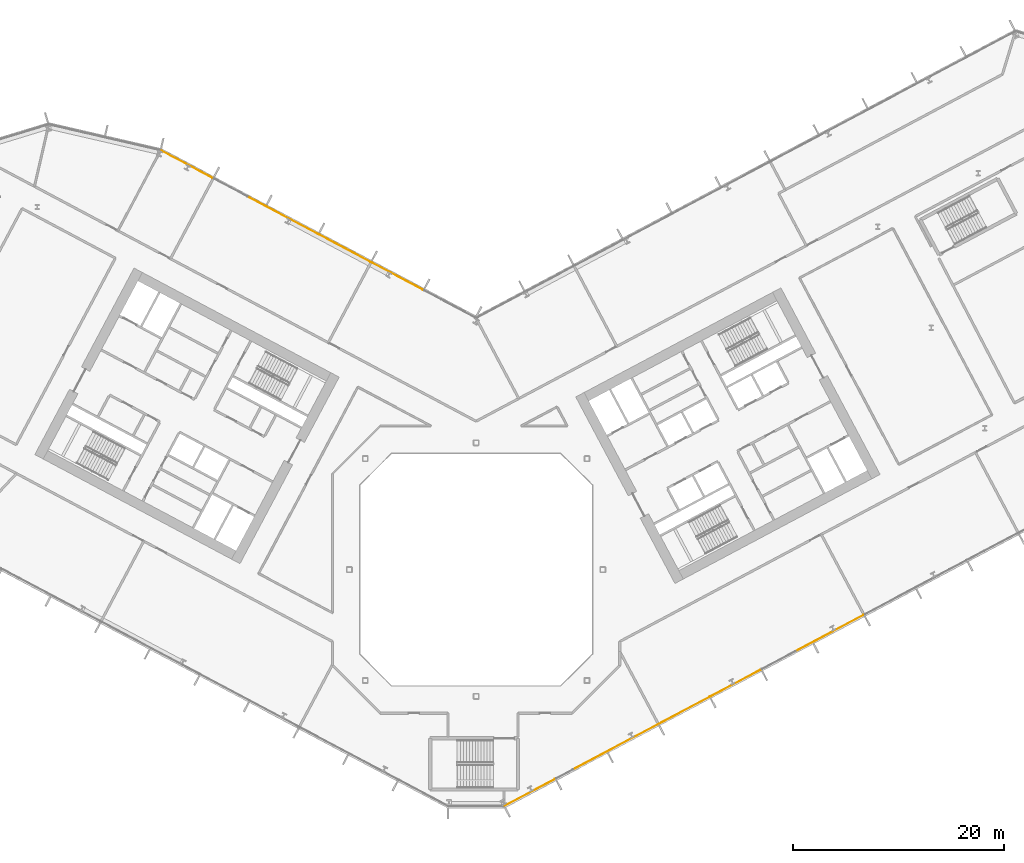
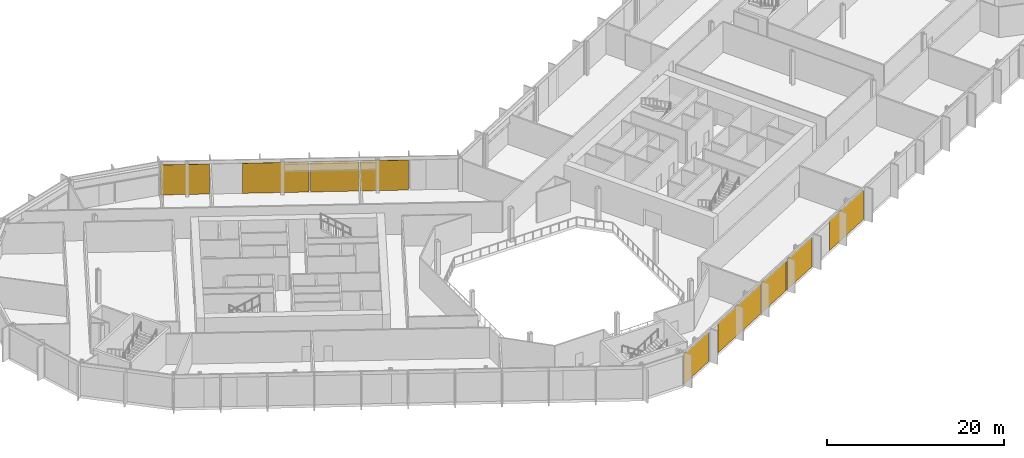
# One storey, part 27 of 32: 9 coverings, 2 elements without a shape of their own.
"""IFC4 building model written with IfcOpenShell, lengths in metres."""

from ifc_helpers import new_model, si_unit, direction, frame, origin, origin_2d, place, context, subcontext, project, spatial, rectangle, extrude, material, layer, layer_set, type_object, element, aggregate, save


model = new_model("IFC4")

# Units and contexts
model_context = context("Model", 3, precision=1e-05, world=origin(), true_north=direction((0.0, 1.0)))
body_context = subcontext(model_context, "Body", "Model", "MODEL_VIEW")
ifc_project = project(units=[si_unit("LENGTHUNIT", "METRE"), si_unit("AREAUNIT", "SQUARE_METRE"), si_unit("VOLUMEUNIT", "CUBIC_METRE"), si_unit("PLANEANGLEUNIT", "RADIAN"), si_unit("MASSUNIT", "GRAM", prefix="KILO")], contexts=[model_context])

# Site, building, storey
site_placement = place(None, origin())
site = spatial("IfcSite", under=ifc_project, at=site_placement, CompositionType="ELEMENT")
building_placement = place(site_placement, origin())
building = spatial("IfcBuilding", under=site, at=building_placement, Name="Cormorant Relay Tower", CompositionType="ELEMENT")
storey_placement = place(building_placement, frame((0.0, 0.0, 66.199951171875)))
storey = spatial("IfcBuildingStorey", under=building, at=storey_placement, Name="L12", CompositionType="ELEMENT", Elevation=66.199951171875)

# Curtain wall, coverings
ifc_material_1 = material(Name="Aluminium 6063-T6 anodised bronze", Category="aluminium")
ifc_layer_1 = layer(ifc_material_1, 0.199951171875)
ifc_layer_set_1 = layer_set([ifc_layer_1], Name="CW1 unitised bronze curtain wall with vertical fins")
curtain_wall_type = type_object("IfcCurtainWallType", Name="CW1 unitised bronze curtain wall with vertical fins", PredefinedType="NOTDEFINED", material=ifc_layer_set_1)
curtain_wall_1_placement = place(storey_placement, origin())
curtain_wall_1 = element("IfcCurtainWall", 1, at=curtain_wall_1_placement, inside=storey, type_object=curtain_wall_type, Name="CW1 curtain wall 2", PredefinedType="NOTDEFINED")
ifc_material_2 = material(Name="Pale bronze anodised aluminium insulated panel", Category="aluminium")
ifc_layer_2 = layer(ifc_material_2, 0.0400390625)
ifc_layer_set_2 = layer_set([ifc_layer_2], Name="CW1 pale bronze insulated panel 40")
covering_type = type_object("IfcCoveringType", Name="CW1 pale bronze insulated panel 40", PredefinedType="CLADDING", material=ifc_layer_set_2)
covering_1_placement = place(storey_placement, frame((5.091552734375, -21.099365234375, 0.0), z_axis=(0.0, 0.0, 1.0), x_axis=(0.882947592859, 0.469471562786, 0.0)))
covering_1 = element("IfcCovering", 2, at=covering_1_placement, type_object=covering_type, Name="CW1 panel S00", PredefinedType="CLADDING", context=body_context, shape_type="SweptSolid", body=[
    extrude(rectangle(XDim=5.36181640625, YDim=0.0400390625, at=origin_2d()), origin(), (0.0, 0.0, 1.0), 4.14990234375),
])
covering_2_placement = place(storey_placement, frame((13.186279296875, -16.79541015625, 0.0), z_axis=(0.0, 0.0, 1.0), x_axis=(0.882947592859, 0.469471562786, 0.0)))
covering_2 = element("IfcCovering", 3, at=covering_2_placement, type_object=covering_type, Name="CW1 panel S02", PredefinedType="CLADDING", context=body_context, shape_type="SweptSolid", body=[
    extrude(rectangle(XDim=9.07373046875, YDim=0.0400390625, at=origin_2d()), origin(), (0.0, 0.0, 1.0), 4.14990234375),
])
covering_3_placement = place(storey_placement, frame((19.691650390625, -13.33642578125, 0.0), z_axis=(0.0, 0.0, 1.0), x_axis=(0.882947592859, 0.469471562786, 0.0)))
covering_3 = element("IfcCovering", 4, at=covering_3_placement, type_object=covering_type, Name="CW1 panel S03", PredefinedType="CLADDING", context=body_context, shape_type="SweptSolid", body=[
    extrude(rectangle(XDim=5.36181640625, YDim=0.0400390625, at=origin_2d()), origin(), (0.0, 0.0, 1.0), 4.14990234375),
])
covering_4_placement = place(storey_placement, frame((24.558349609375, -10.748779296875, 0.0), z_axis=(0.0, 0.0, 1.0), x_axis=(0.882947592859, 0.469471562786, 0.0)))
covering_4 = element("IfcCovering", 5, at=covering_4_placement, type_object=covering_type, Name="CW1 panel S04", PredefinedType="CLADDING", context=body_context, shape_type="SweptSolid", body=[
    extrude(rectangle(XDim=5.36181640625, YDim=0.0400390625, at=origin_2d()), origin(), (0.0, 0.0, 1.0), 4.14990234375),
])
covering_5_placement = place(storey_placement, frame((33.447509765625, -6.022216796875, 0.0), z_axis=(0.0, 0.0, 1.0), x_axis=(0.882947592859, 0.469471562786, 0.0)))
covering_5 = element("IfcCovering", 6, at=covering_5_placement, type_object=covering_type, Name="CW1 panel S06", PredefinedType="CLADDING", context=body_context, shape_type="SweptSolid", body=[
    extrude(rectangle(XDim=7.273681640625, YDim=0.0400390625, at=origin_2d()), origin(), (0.0, 0.0, 1.0), 4.14990234375),
])
aggregate(curtain_wall_1, [covering_1, covering_2, covering_3, covering_4, covering_5])

curtain_wall_2_placement = place(storey_placement, origin())
curtain_wall_2 = element("IfcCurtainWall", 7, at=curtain_wall_2_placement, inside=storey, type_object=curtain_wall_type, Name="CW1 curtain wall 7", PredefinedType="NOTDEFINED")
covering_6_placement = place(storey_placement, frame((-7.458984375, 27.772705078125, 0.0), z_axis=(0.0, 0.0, 1.0), x_axis=(-0.882947592859, 0.469471562786, 0.0)))
covering_6 = element("IfcCovering", 8, at=covering_6_placement, type_object=covering_type, Name="CW1 panel S02", PredefinedType="CLADDING", context=body_context, shape_type="SweptSolid", body=[
    extrude(rectangle(XDim=5.489013671875, YDim=0.0400390625, at=origin_2d()), origin(), (0.0, 0.0, 1.0), 4.14990234375),
])
covering_7_placement = place(storey_placement, frame((-12.43798828125, 30.419921875, 0.0), z_axis=(0.0, 0.0, 1.0), x_axis=(-0.882947592859, 0.469471562786, 0.0)))
covering_7 = element("IfcCovering", 9, at=covering_7_placement, type_object=covering_type, Name="CW1 panel S03", PredefinedType="CLADDING", context=body_context, shape_type="SweptSolid", body=[
    extrude(rectangle(XDim=5.489013671875, YDim=0.0400390625, at=origin_2d()), origin(), (0.0, 0.0, 1.0), 4.14990234375),
])
covering_8_placement = place(storey_placement, frame((-18.317138671875, 33.5458984375, 0.0), z_axis=(0.0, 0.0, 1.0), x_axis=(-0.882947592859, 0.469471562786, 0.0)))
covering_8 = element("IfcCovering", 10, at=covering_8_placement, type_object=covering_type, Name="CW1 panel S04", PredefinedType="CLADDING", context=body_context, shape_type="SweptSolid", body=[
    extrude(rectangle(XDim=7.528076171875, YDim=0.0400390625, at=origin_2d()), origin(), (0.0, 0.0, 1.0), 4.14990234375),
])
covering_9_placement = place(storey_placement, frame((-27.407958984375, 38.379638671875, 0.0), z_axis=(0.0, 0.0, 1.0), x_axis=(-0.882947592859, 0.469471562786, 0.0)))
covering_9 = element("IfcCovering", 11, at=covering_9_placement, type_object=covering_type, Name="CW1 panel S06", PredefinedType="CLADDING", context=body_context, shape_type="SweptSolid", body=[
    extrude(rectangle(XDim=5.56396484375, YDim=0.0400390625, at=origin_2d()), origin(), (0.0, 0.0, 1.0), 4.14990234375),
])
aggregate(curtain_wall_2, [covering_6, covering_7, covering_8, covering_9])

save(model, "model.ifc")
